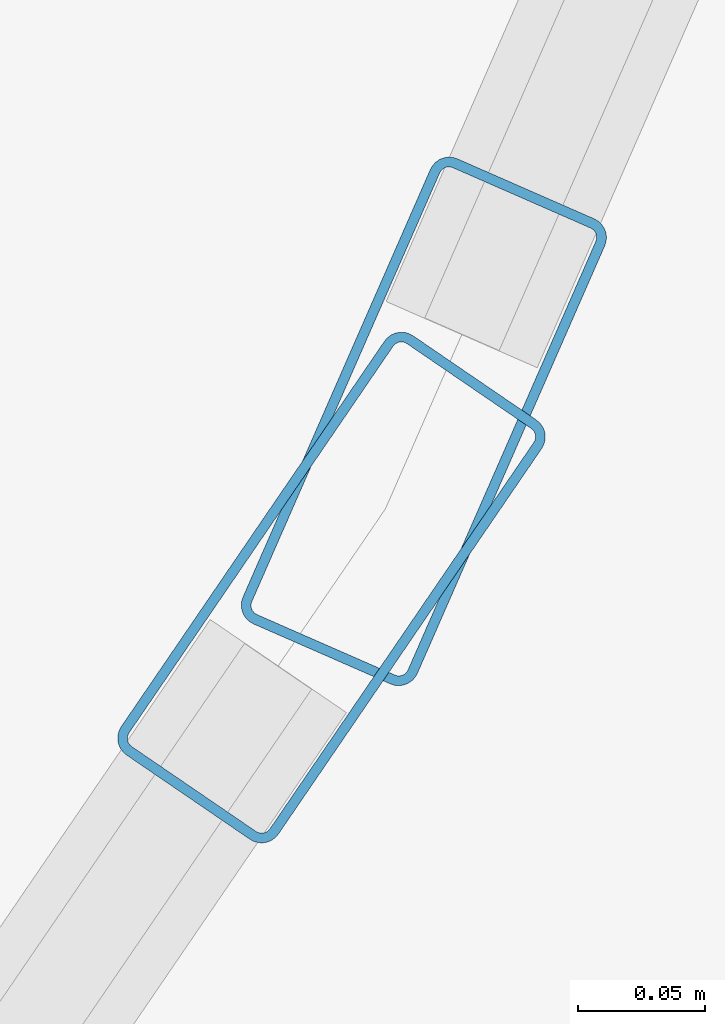
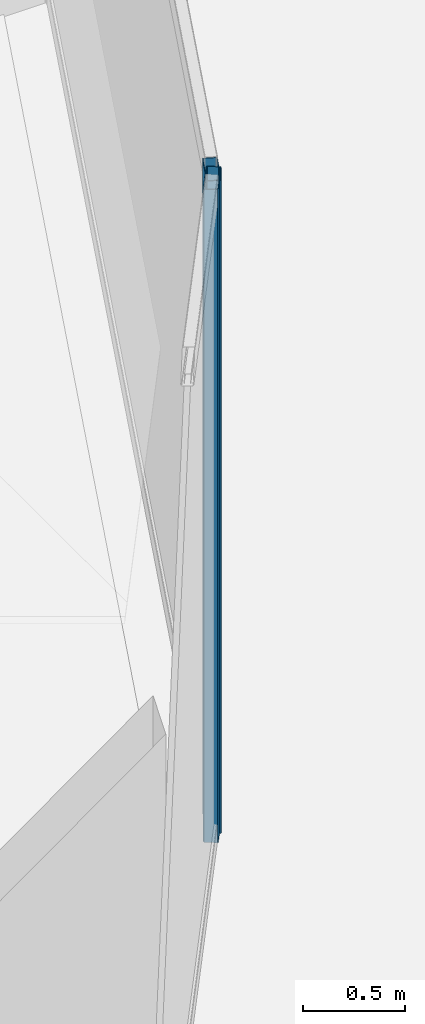
# One storey, part 10 of 47: 2 members, 2 elements without a shape of their own.
"""IFC4 building model written with IfcOpenShell, lengths in metres."""

import ifcopenshell
import ifcopenshell.guid

model = None  # the IFC model being written
_history = None  # IfcOwnerHistory: only IFC2X3 demands one
_inside = {}  # id of a spatial element -> (the spatial element, [elements in it])
_under = {}  # id of a project, library or spatial element -> (it, [spatial elements below it])
_declared = {}  # id of a project -> (the project, [libraries it declares])
_typed = {}  # id of a type object -> (the type object, [elements of that type])
_made_of = {}  # id of a material, layer set ... -> (it, [elements and type objects made of it])


def new_model(schema):
    """Start an empty IFC model of exactly this schema.

    Asked for "IFC4X3", IfcOpenShell would pick the latest addendum, in which some entities
    have other attributes; the version numbers below select the first issue.
    IFC2X3 requires an IfcOwnerHistory on every rooted entity: one is made here for all.
    """
    global model, _history
    if schema == "IFC4X3":
        model = ifcopenshell.file(schema_version=(4, 3, 0, 0))
    else:
        model = ifcopenshell.file(schema=schema)
    _inside.clear()
    _under.clear()
    _declared.clear()
    _typed.clear()
    _made_of.clear()
    _history = None
    if model.schema == "IFC2X3":
        org = make("IfcOrganization", Name="unknown")
        user = make(
            "IfcPersonAndOrganization",
            ThePerson=make("IfcPerson", FamilyName="unknown"),
            TheOrganization=org,
        )
        app = make(
            "IfcApplication",
            ApplicationDeveloper=org,
            Version="unknown",
            ApplicationFullName="unknown",
            ApplicationIdentifier="unknown",
        )
        _history = make(
            "IfcOwnerHistory",
            OwningUser=user,
            OwningApplication=app,
            ChangeAction="ADDED",
            CreationDate=0,
        )
    return model


def make(cls, **values):
    """One entity of the class cls with the attributes given. An attribute that is None is left unset."""
    return model.create_entity(
        cls, **{name: value for name, value in values.items() if value is not None}
    )


def rooted(cls, **values):
    """An entity with a GlobalId (a new one), such as an element, a storey or a relation."""
    return make(cls, GlobalId=ifcopenshell.guid.new(), OwnerHistory=_history, **values)


def si_unit(unit_type, name, prefix=None):
    """IfcSIUnit, for example si_unit("LENGTHUNIT", "METRE", prefix="MILLI")."""
    return make("IfcSIUnit", UnitType=unit_type, Prefix=prefix, Name=name)


def assignment(units):
    """IfcUnitAssignment: the units of a project."""
    return None if units is None else make("IfcUnitAssignment", Units=units)


def point(xyz):
    """IfcCartesianPoint."""
    return None if xyz is None else make("IfcCartesianPoint", Coordinates=xyz)


def direction(xyz):
    """IfcDirection."""
    return None if xyz is None else make("IfcDirection", DirectionRatios=xyz)


def frame(location, z_axis=None, x_axis=None):
    """IfcAxis2Placement3D, a coordinate frame: its origin and axes. An axis left out is left unset."""
    return make(
        "IfcAxis2Placement3D",
        Location=point(location),
        Axis=direction(z_axis),
        RefDirection=direction(x_axis),
    )


def frame_2d(location, x_axis=None):
    """IfcAxis2Placement2D, a coordinate frame in the plane: its origin and x axis."""
    return make(
        "IfcAxis2Placement2D", Location=point(location), RefDirection=direction(x_axis)
    )


def origin():
    """The frame at (0, 0, 0) with its axes left unset."""
    return frame((0.0, 0.0, 0.0))


def origin_2d():
    """The frame at (0, 0) in the plane with its x axis left unset."""
    return frame_2d((0.0, 0.0))


def place(relative_to, where):
    """IfcLocalPlacement: puts the frame where relative to a parent placement (None: the world)."""
    return make(
        "IfcLocalPlacement", PlacementRelTo=relative_to, RelativePlacement=where
    )


def context(
    kind, dimensions, precision=None, world=None, true_north=None, identifier=None
):
    """IfcGeometricRepresentationContext, for example the 3D "Model" context."""
    return make(
        "IfcGeometricRepresentationContext",
        ContextIdentifier=identifier,
        ContextType=kind,
        CoordinateSpaceDimension=dimensions,
        Precision=precision,
        WorldCoordinateSystem=world,
        TrueNorth=true_north,
    )


def subcontext(parent, identifier, kind, view, scale=None):
    """IfcGeometricRepresentationSubContext, for example "Body" below "Model"."""
    return make(
        "IfcGeometricRepresentationSubContext",
        ContextIdentifier=identifier,
        ContextType=kind,
        ParentContext=parent,
        TargetScale=scale,
        TargetView=view,
    )


def project(units=None, contexts=None):
    """IfcProject with its units and contexts."""
    return rooted(
        "IfcProject",
        Name="project",
        RepresentationContexts=contexts,
        UnitsInContext=assignment(units),
    )


def spatial(cls, under=None, at=None, **own):
    """A site, building, storey or space (cls), placed at a placement, below another one or the project."""
    s = rooted(cls, ObjectPlacement=at, **own)
    if under is not None:
        _under.setdefault(under.id(), (under, []))[1].append(s)
    return s


def profile(cls, at=None, kind="AREA", **sizes):
    """A parametric profile (cls). Its sizes go by their IFC names, for example OverallWidth=200.0."""
    return make(cls, ProfileType=kind, Position=at, **sizes)


def hollow_rectangle(**sizes):
    """IfcRectangleHollowProfileDef."""
    return profile("IfcRectangleHollowProfileDef", **sizes)


def extrude(swept, where, along, depth):
    """IfcExtrudedAreaSolid: the profile swept, set in the frame where, extruded along a direction by depth."""
    return make(
        "IfcExtrudedAreaSolid",
        SweptArea=swept,
        Position=where,
        ExtrudedDirection=direction(along),
        Depth=depth,
    )


def shape(context_of_items, identifier, shape_type, items):
    """IfcShapeRepresentation: the items that make up one representation, for example the "Body"."""
    return make(
        "IfcShapeRepresentation",
        ContextOfItems=context_of_items,
        RepresentationIdentifier=identifier,
        RepresentationType=shape_type,
        Items=items,
    )


def material(Name=None, Category=None):
    """IfcMaterial."""
    return make("IfcMaterial", Name=Name, Category=Category)


def layer(
    of_material, thickness, ventilated=None, Name=None, Category=None, Priority=None
):
    """IfcMaterialLayer: one layer of a wall or slab, of a material (None: an air gap)."""
    return make(
        "IfcMaterialLayer",
        Material=of_material,
        LayerThickness=thickness,
        IsVentilated=ventilated,
        Name=Name,
        Category=Category,
        Priority=Priority,
    )


def layer_set(layers, Name=None):
    """IfcMaterialLayerSet."""
    return make("IfcMaterialLayerSet", MaterialLayers=layers, LayerSetName=Name)


def material_profile(
    of_material, cross_section, Name=None, Category=None, Priority=None
):
    """IfcMaterialProfile: a cross section and its material."""
    return make(
        "IfcMaterialProfile",
        Name=Name,
        Material=of_material,
        Profile=cross_section,
        Priority=Priority,
        Category=Category,
    )


def profile_set(profiles, Name=None, composite=None):
    """IfcMaterialProfileSet."""
    return make(
        "IfcMaterialProfileSet",
        Name=Name,
        MaterialProfiles=profiles,
        CompositeProfile=composite,
    )


def made_of(thing, what):
    """Note that an element or type object is made of a material, layer set ...; save() writes the relation."""
    if what is not None:
        _made_of.setdefault(what.id(), (what, []))[1].append(thing)
    return thing


def type_object(cls, material=None, **own):
    """A type object (cls), such as IfcWallType, which elements share."""
    return made_of(rooted(cls, **own), material)


def element(
    cls,
    number,
    at=None,
    inside=None,
    cuts=None,
    type_object=None,
    material=None,
    context=None,
    identifier="Body",
    shape_type=None,
    held_by="IfcProductDefinitionShape",
    body=None,
    shapes=None,
    **own,
):
    """One element of the class cls, such as IfcWall. Its Tag is "e" and its number.

    at: its placement. inside: the storey or other place that contains it. cuts: it is an
    opening in that element (IfcRelVoidsElement). A single representation is given by context,
    identifier, shape_type and body (its items); several are given by shapes. held_by: the class
    of the entity that holds the representations. save() writes the other relations.
    """
    e = rooted(cls, Tag="e%d" % number, ObjectPlacement=at, **own)
    if body is not None:
        shapes = [shape(context, identifier, shape_type, body)]
    if shapes is not None:
        e.Representation = make(held_by, Representations=shapes)
    if inside is not None:
        _inside.setdefault(inside.id(), (inside, []))[1].append(e)
    if cuts is not None:
        rooted(
            "IfcRelVoidsElement", RelatingBuildingElement=cuts, RelatedOpeningElement=e
        )
    if type_object is not None:
        _typed.setdefault(type_object.id(), (type_object, []))[1].append(e)
    return made_of(e, material)


def aggregate(whole, parts):
    """IfcRelAggregates: a whole, such as a stair, and the parts it consists of."""
    return rooted("IfcRelAggregates", RelatingObject=whole, RelatedObjects=parts)


def save(model, path):
    """Write the relations noted so far, then the file.

    IfcRelAggregates (storeys below a building ...), IfcRelContainedInSpatialStructure (elements
    in a storey), IfcRelDefinesByType, IfcRelAssociatesMaterial and IfcRelDeclares: one each for
    every whole, place, type object, material and project.
    """
    for whole, parts in _under.values():
        aggregate(whole, parts)
    for where, things in _inside.values():
        rooted(
            "IfcRelContainedInSpatialStructure",
            RelatedElements=things,
            RelatingStructure=where,
        )
    for kind, things in _typed.values():
        rooted("IfcRelDefinesByType", RelatedObjects=things, RelatingType=kind)
    for what, things in _made_of.values():
        rooted("IfcRelAssociatesMaterial", RelatedObjects=things, RelatingMaterial=what)
    for by, libraries in _declared.values():
        rooted("IfcRelDeclares", RelatingContext=by, RelatedDefinitions=libraries)
    model.write(path)


model = new_model("IFC4")

# Units and contexts
model_context = context("Model", 3, precision=1e-05, world=origin(), true_north=direction((0.0, 1.0)))
body_context = subcontext(model_context, "Body", "Model", "MODEL_VIEW")
ifc_project = project(units=[si_unit("LENGTHUNIT", "METRE"), si_unit("AREAUNIT", "SQUARE_METRE"), si_unit("VOLUMEUNIT", "CUBIC_METRE"), si_unit("PLANEANGLEUNIT", "RADIAN"), si_unit("MASSUNIT", "GRAM", prefix="KILO")], contexts=[model_context])

# Site, building, storey
site_placement = place(None, origin())
site = spatial("IfcSite", under=ifc_project, at=site_placement, CompositionType="ELEMENT")
building_placement = place(site_placement, origin())
building = spatial("IfcBuilding", under=site, at=building_placement, Name="Qorvath Tower", CompositionType="ELEMENT")
storey_placement = place(building_placement, frame((0.0, 0.0, 74.39990234375)))
storey = spatial("IfcBuildingStorey", under=building, at=storey_placement, Name="L16", CompositionType="ELEMENT", Elevation=74.39990234375)

# Curtain wall, member
ifc_material_1 = material(Name="Anodised aluminium and triple low-E glass", Category="aluminium")
ifc_layer = layer(ifc_material_1, 0.179931640625)
ifc_layer_set = layer_set([ifc_layer], Name="CW-SYS-5")
curtain_wall_type = type_object("IfcCurtainWallType", Name="CW-SYS-5", PredefinedType="NOTDEFINED", material=ifc_layer_set)
curtain_wall_1_placement = place(storey_placement, origin())
curtain_wall_1 = element("IfcCurtainWall", 1, at=curtain_wall_1_placement, inside=storey, type_object=curtain_wall_type, Name="Curtain Wall CW-5 CW-T-L16-9.1", PredefinedType="NOTDEFINED")
ifc_material_2 = material(Name="Anodised aluminium 6063-T6", Category="aluminium")
ifc_material_profile = material_profile(ifc_material_2, hollow_rectangle(XDim=0.074951171875, YDim=0.199951171875, WallThickness=0.00390625, InnerFilletRadius=0.00390625, OuterFilletRadius=0.008056640625, at=origin_2d()), Name="CWM 200x75")
ifc_profile_set = profile_set([ifc_material_profile], Name="Anodised aluminium 6063-T6")
member_type = type_object("IfcMemberType", Name="CWM-200", PredefinedType="MULLION", material=ifc_profile_set)
member_1_placement = place(storey_placement, frame((1.6015625, -18.885986328125, 0.0), z_axis=(0.0, 0.0, 1.0), x_axis=(-0.825776009163, 0.563998211602, 0.0)))
member_1 = element("IfcMember", 2, at=member_1_placement, type_object=member_type, Name="CW-5 mullion 2", PredefinedType="MULLION", context=body_context, shape_type="SweptSolid", body=[
    extrude(hollow_rectangle(XDim=0.074951171875, YDim=0.199951171875, WallThickness=0.00390625, InnerFilletRadius=0.00390625, OuterFilletRadius=0.008056640625, at=origin_2d()), origin(), (0.0, 0.0, 1.0), 3.920166015625),
])
aggregate(curtain_wall_1, [member_1])

curtain_wall_2_placement = place(storey_placement, origin())
curtain_wall_2 = element("IfcCurtainWall", 3, at=curtain_wall_2_placement, inside=storey, type_object=curtain_wall_type, Name="Curtain Wall CW-5 CW-T-L16-10.1", PredefinedType="NOTDEFINED")
member_2_placement = place(storey_placement, frame((1.637939453125, -18.820556640625, 0.0), z_axis=(0.0, 0.0, 1.0), x_axis=(-0.915913444211, 0.401375837231, 0.0)))
member_2 = element("IfcMember", 4, at=member_2_placement, type_object=member_type, Name="CW-5 mullion 1", PredefinedType="MULLION", context=body_context, shape_type="SweptSolid", body=[
    extrude(hollow_rectangle(XDim=0.074951171875, YDim=0.199951171875, WallThickness=0.00390625, InnerFilletRadius=0.00390625, OuterFilletRadius=0.008056640625, at=origin_2d()), origin(), (0.0, 0.0, 1.0), 3.920166015625),
])
aggregate(curtain_wall_2, [member_2])

save(model, "model.ifc")
